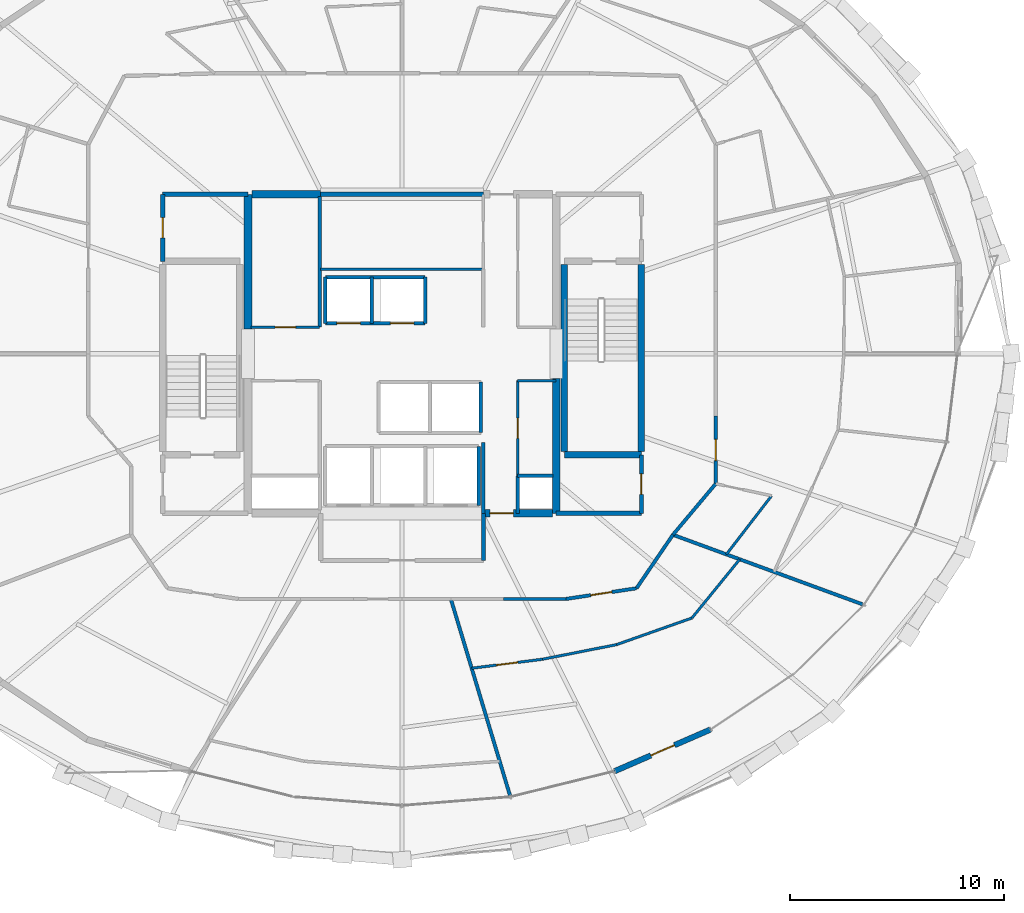
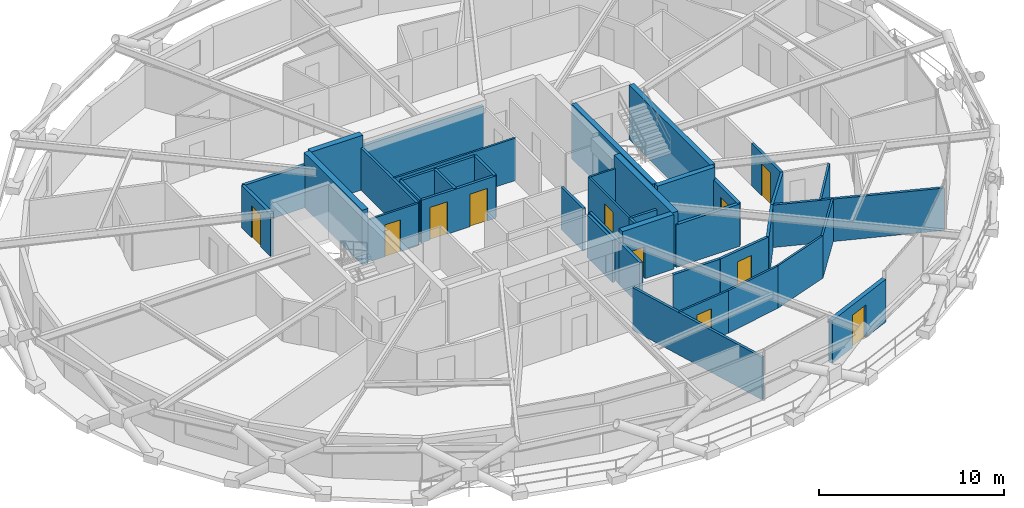
# One storey, part 15 of 21: 41 walls, 11 doors, 11 openings.
"""IFC4 building model written with IfcOpenShell, lengths in metres."""

import ifcopenshell
import ifcopenshell.guid

model = None  # the IFC model being written
_history = None  # IfcOwnerHistory: only IFC2X3 demands one
_inside = {}  # id of a spatial element -> (the spatial element, [elements in it])
_under = {}  # id of a project, library or spatial element -> (it, [spatial elements below it])
_declared = {}  # id of a project -> (the project, [libraries it declares])
_typed = {}  # id of a type object -> (the type object, [elements of that type])
_made_of = {}  # id of a material, layer set ... -> (it, [elements and type objects made of it])


def new_model(schema):
    """Start an empty IFC model of exactly this schema.

    Asked for "IFC4X3", IfcOpenShell would pick the latest addendum, in which some entities
    have other attributes; the version numbers below select the first issue.
    IFC2X3 requires an IfcOwnerHistory on every rooted entity: one is made here for all.
    """
    global model, _history
    if schema == "IFC4X3":
        model = ifcopenshell.file(schema_version=(4, 3, 0, 0))
    else:
        model = ifcopenshell.file(schema=schema)
    _inside.clear()
    _under.clear()
    _declared.clear()
    _typed.clear()
    _made_of.clear()
    _history = None
    if model.schema == "IFC2X3":
        org = make("IfcOrganization", Name="unknown")
        user = make(
            "IfcPersonAndOrganization",
            ThePerson=make("IfcPerson", FamilyName="unknown"),
            TheOrganization=org,
        )
        app = make(
            "IfcApplication",
            ApplicationDeveloper=org,
            Version="unknown",
            ApplicationFullName="unknown",
            ApplicationIdentifier="unknown",
        )
        _history = make(
            "IfcOwnerHistory",
            OwningUser=user,
            OwningApplication=app,
            ChangeAction="ADDED",
            CreationDate=0,
        )
    return model


def make(cls, **values):
    """One entity of the class cls with the attributes given. An attribute that is None is left unset."""
    return model.create_entity(
        cls, **{name: value for name, value in values.items() if value is not None}
    )


def rooted(cls, **values):
    """An entity with a GlobalId (a new one), such as an element, a storey or a relation."""
    return make(cls, GlobalId=ifcopenshell.guid.new(), OwnerHistory=_history, **values)


def si_unit(unit_type, name, prefix=None):
    """IfcSIUnit, for example si_unit("LENGTHUNIT", "METRE", prefix="MILLI")."""
    return make("IfcSIUnit", UnitType=unit_type, Prefix=prefix, Name=name)


def assignment(units):
    """IfcUnitAssignment: the units of a project."""
    return None if units is None else make("IfcUnitAssignment", Units=units)


def point(xyz):
    """IfcCartesianPoint."""
    return None if xyz is None else make("IfcCartesianPoint", Coordinates=xyz)


def direction(xyz):
    """IfcDirection."""
    return None if xyz is None else make("IfcDirection", DirectionRatios=xyz)


def frame(location, z_axis=None, x_axis=None):
    """IfcAxis2Placement3D, a coordinate frame: its origin and axes. An axis left out is left unset."""
    return make(
        "IfcAxis2Placement3D",
        Location=point(location),
        Axis=direction(z_axis),
        RefDirection=direction(x_axis),
    )


def frame_2d(location, x_axis=None):
    """IfcAxis2Placement2D, a coordinate frame in the plane: its origin and x axis."""
    return make(
        "IfcAxis2Placement2D", Location=point(location), RefDirection=direction(x_axis)
    )


def origin():
    """The frame at (0, 0, 0) with its axes left unset."""
    return frame((0.0, 0.0, 0.0))


def place(relative_to, where):
    """IfcLocalPlacement: puts the frame where relative to a parent placement (None: the world)."""
    return make(
        "IfcLocalPlacement", PlacementRelTo=relative_to, RelativePlacement=where
    )


def context(
    kind, dimensions, precision=None, world=None, true_north=None, identifier=None
):
    """IfcGeometricRepresentationContext, for example the 3D "Model" context."""
    return make(
        "IfcGeometricRepresentationContext",
        ContextIdentifier=identifier,
        ContextType=kind,
        CoordinateSpaceDimension=dimensions,
        Precision=precision,
        WorldCoordinateSystem=world,
        TrueNorth=true_north,
    )


def subcontext(parent, identifier, kind, view, scale=None):
    """IfcGeometricRepresentationSubContext, for example "Body" below "Model"."""
    return make(
        "IfcGeometricRepresentationSubContext",
        ContextIdentifier=identifier,
        ContextType=kind,
        ParentContext=parent,
        TargetScale=scale,
        TargetView=view,
    )


def project(units=None, contexts=None):
    """IfcProject with its units and contexts."""
    return rooted(
        "IfcProject",
        Name="project",
        RepresentationContexts=contexts,
        UnitsInContext=assignment(units),
    )


def spatial(cls, under=None, at=None, **own):
    """A site, building, storey or space (cls), placed at a placement, below another one or the project."""
    s = rooted(cls, ObjectPlacement=at, **own)
    if under is not None:
        _under.setdefault(under.id(), (under, []))[1].append(s)
    return s


def profile(cls, at=None, kind="AREA", **sizes):
    """A parametric profile (cls). Its sizes go by their IFC names, for example OverallWidth=200.0."""
    return make(cls, ProfileType=kind, Position=at, **sizes)


def rectangle(**sizes):
    """IfcRectangleProfileDef."""
    return profile("IfcRectangleProfileDef", **sizes)


def extrude(swept, where, along, depth):
    """IfcExtrudedAreaSolid: the profile swept, set in the frame where, extruded along a direction by depth."""
    return make(
        "IfcExtrudedAreaSolid",
        SweptArea=swept,
        Position=where,
        ExtrudedDirection=direction(along),
        Depth=depth,
    )


def shape(context_of_items, identifier, shape_type, items):
    """IfcShapeRepresentation: the items that make up one representation, for example the "Body"."""
    return make(
        "IfcShapeRepresentation",
        ContextOfItems=context_of_items,
        RepresentationIdentifier=identifier,
        RepresentationType=shape_type,
        Items=items,
    )


def material(Name=None, Category=None):
    """IfcMaterial."""
    return make("IfcMaterial", Name=Name, Category=Category)


def layer(
    of_material, thickness, ventilated=None, Name=None, Category=None, Priority=None
):
    """IfcMaterialLayer: one layer of a wall or slab, of a material (None: an air gap)."""
    return make(
        "IfcMaterialLayer",
        Material=of_material,
        LayerThickness=thickness,
        IsVentilated=ventilated,
        Name=Name,
        Category=Category,
        Priority=Priority,
    )


def layer_set(layers, Name=None):
    """IfcMaterialLayerSet."""
    return make("IfcMaterialLayerSet", MaterialLayers=layers, LayerSetName=Name)


def made_of(thing, what):
    """Note that an element or type object is made of a material, layer set ...; save() writes the relation."""
    if what is not None:
        _made_of.setdefault(what.id(), (what, []))[1].append(thing)
    return thing


def type_object(cls, material=None, **own):
    """A type object (cls), such as IfcWallType, which elements share."""
    return made_of(rooted(cls, **own), material)


def element(
    cls,
    number,
    at=None,
    inside=None,
    cuts=None,
    type_object=None,
    material=None,
    context=None,
    identifier="Body",
    shape_type=None,
    held_by="IfcProductDefinitionShape",
    body=None,
    shapes=None,
    **own,
):
    """One element of the class cls, such as IfcWall. Its Tag is "e" and its number.

    at: its placement. inside: the storey or other place that contains it. cuts: it is an
    opening in that element (IfcRelVoidsElement). A single representation is given by context,
    identifier, shape_type and body (its items); several are given by shapes. held_by: the class
    of the entity that holds the representations. save() writes the other relations.
    """
    e = rooted(cls, Tag="e%d" % number, ObjectPlacement=at, **own)
    if body is not None:
        shapes = [shape(context, identifier, shape_type, body)]
    if shapes is not None:
        e.Representation = make(held_by, Representations=shapes)
    if inside is not None:
        _inside.setdefault(inside.id(), (inside, []))[1].append(e)
    if cuts is not None:
        rooted(
            "IfcRelVoidsElement", RelatingBuildingElement=cuts, RelatedOpeningElement=e
        )
    if type_object is not None:
        _typed.setdefault(type_object.id(), (type_object, []))[1].append(e)
    return made_of(e, material)


def fill(opening, filler):
    """IfcRelFillsElement: the door or window that sits in an opening."""
    return rooted(
        "IfcRelFillsElement",
        RelatingOpeningElement=opening,
        RelatedBuildingElement=filler,
    )


def aggregate(whole, parts):
    """IfcRelAggregates: a whole, such as a stair, and the parts it consists of."""
    return rooted("IfcRelAggregates", RelatingObject=whole, RelatedObjects=parts)


def save(model, path):
    """Write the relations noted so far, then the file.

    IfcRelAggregates (storeys below a building ...), IfcRelContainedInSpatialStructure (elements
    in a storey), IfcRelDefinesByType, IfcRelAssociatesMaterial and IfcRelDeclares: one each for
    every whole, place, type object, material and project.
    """
    for whole, parts in _under.values():
        aggregate(whole, parts)
    for where, things in _inside.values():
        rooted(
            "IfcRelContainedInSpatialStructure",
            RelatedElements=things,
            RelatingStructure=where,
        )
    for kind, things in _typed.values():
        rooted("IfcRelDefinesByType", RelatedObjects=things, RelatingType=kind)
    for what, things in _made_of.values():
        rooted("IfcRelAssociatesMaterial", RelatedObjects=things, RelatingMaterial=what)
    for by, libraries in _declared.values():
        rooted("IfcRelDeclares", RelatingContext=by, RelatedDefinitions=libraries)
    model.write(path)


model = new_model("IFC4")

# Units and contexts
model_context = context("Model", 3, precision=1e-05, world=origin(), true_north=direction((0.0, 1.0)))
body_context = subcontext(model_context, "Body", "Model", "MODEL_VIEW")
ifc_project = project(units=[si_unit("LENGTHUNIT", "METRE"), si_unit("AREAUNIT", "SQUARE_METRE"), si_unit("VOLUMEUNIT", "CUBIC_METRE"), si_unit("PLANEANGLEUNIT", "RADIAN"), si_unit("MASSUNIT", "GRAM", prefix="KILO")], contexts=[model_context])

# Site, building, storey
site_placement = place(None, origin())
site = spatial("IfcSite", under=ifc_project, at=site_placement, CompositionType="ELEMENT")
building_placement = place(site_placement, origin())
building = spatial("IfcBuilding", under=site, at=building_placement, Name="Veldorina Hangang Commons", CompositionType="ELEMENT")
storey_placement = place(building_placement, frame((0.0, 0.0, 138.800048828125)))
storey = spatial("IfcBuildingStorey", under=building, at=storey_placement, Name="L35", CompositionType="ELEMENT", Elevation=138.800048828125)

# Walls
ifc_material_1 = material(Name="Concrete C60/75", Category="concrete")
ifc_layer_1 = layer(ifc_material_1, 0.360107421875)
ifc_layer_set_1 = layer_set([ifc_layer_1], Name="Concrete C60/75")
wall_type_1 = type_object("IfcWallType", Name="CW-RC360-C60", PredefinedType="SHEAR", material=ifc_layer_set_1)
for number, where, z_axis, x_axis, name in (
    (1, (24.800048828125, 25.14990234375, 0.0), (0.0, 0.0, 1.0), (0.0, 1.0, 0.0), "L35 W north core shear wall"),
    (2, (39.199951171875, 16.550048828125, 0.0), (0.0, 0.0, 1.0), (0.0, 1.0, 0.0), "L35 E south core shear wall"),
):
    element("IfcWall", number, at=place(storey_placement, frame(where, z_axis=z_axis, x_axis=x_axis)), inside=storey, type_object=wall_type_1, Name=name, PredefinedType="SHEAR", context=body_context, shape_type="SweptSolid", body=[
        extrude(rectangle(XDim=6.300048828125, YDim=0.360107421875, at=frame_2d((3.14990234375, 0.0))), origin(), (0.0, 0.0, 1.0), 3.599853515625),
    ])

# Wall, opening, door
wall_1_placement = place(storey_placement, frame((35.800048828125, 16.550048828125, 0.0), z_axis=(0.0, 0.0, 1.0), x_axis=(1.0, 0.0, 0.0)))
wall_1 = element("IfcWall", 3, at=wall_1_placement, inside=storey, type_object=wall_type_1, Name="L35 south-east core shear wall", PredefinedType="SHEAR", context=body_context, shape_type="SweptSolid", body=[
    extrude(rectangle(XDim=3.219970703125, YDim=0.360107421875, at=frame_2d((1.60986328125, 0.0))), origin(), (0.0, 0.0, 1.0), 3.599853515625),
])
opening_1_placement = place(wall_1_placement, frame((0.300048828125, 0.0, 0.0)))
opening_1 = element("IfcOpeningElement", 4, at=opening_1_placement, cuts=wall_1, Name="Opening D-08", PredefinedType="OPENING", context=body_context, shape_type="SweptSolid", body=[
    extrude(rectangle(XDim=1.10009765625, YDim=2.10009765625, at=frame_2d((0.550048828125, 1.050048828125))), frame((0.0, 0.18994140625, 0.0), z_axis=(0.0, -1.0, 0.0), x_axis=(1.0, 0.0, 0.0)), (0.0, 0.0, 1.0), 0.380126953125),
])
ifc_material_2 = material(Name="Steel Fire-Rated Smoke Seal", Category="steel")
door_type_1 = type_object("IfcDoorType", Name="DR-FIRE-1100", OperationType="SINGLE_SWING_RIGHT", PredefinedType="DOOR", material=ifc_material_2)
door_1_placement = place(opening_1_placement, origin())
door_1 = element("IfcDoor", 5, at=door_1_placement, inside=storey, type_object=door_type_1, Name="L35 central lift lobby south corridor door", OperationType="SINGLE_SWING_RIGHT", OverallHeight=2.10009765625, OverallWidth=1.10009765625, PredefinedType="DOOR", context=body_context, shape_type="SweptSolid", body=[
    extrude(rectangle(XDim=1.10009765625, YDim=2.10009765625, at=frame_2d((0.550048828125, 1.050048828125))), frame((0.0, 0.02490234375, 0.0), z_axis=(0.0, -1.0, 0.0), x_axis=(1.0, 0.0, 0.0)), (0.0, 0.0, 1.0), 0.050048828125),
])
fill(opening_1, door_1)

# Wall
wall_2_placement = place(storey_placement, frame((24.97998046875, 31.449951171875, 0.0), z_axis=(0.0, 0.0, 1.0), x_axis=(1.0, 0.0, 0.0)))
element("IfcWall", 6, at=wall_2_placement, inside=storey, type_object=wall_type_1, Name="L35 north-west core shear wall", PredefinedType="SHEAR", context=body_context, shape_type="SweptSolid", body=[
    extrude(rectangle(XDim=3.219970703125, YDim=0.360107421875, at=frame_2d((1.60986328125, 0.0))), origin(), (0.0, 0.0, 1.0), 3.599853515625),
])

# Wall, opening, door
ifc_material_3 = material(Name="Stone Roman Travertine", Category="masonry")
ifc_layer_2 = layer(ifc_material_3, 0.260009765625)
ifc_layer_set_2 = layer_set([ifc_layer_2], Name="Stone Roman Travertine")
wall_type_2 = type_object("IfcWallType", Name="EW-LOGGIA-260", PredefinedType="STANDARD", material=ifc_layer_set_2)
wall_3_placement = place(storey_placement, frame((41.92626953125, 4.50537109375, 0.0), z_axis=(0.0, 0.0, 1.0), x_axis=(0.917045447223, 0.398782707408, 0.0)))
wall_3 = element("IfcWall", 7, at=wall_3_placement, inside=storey, type_object=wall_type_2, Name="L35 sky-garden loggia portal wall 26", PredefinedType="STANDARD", context=body_context, shape_type="SweptSolid", body=[
    extrude(rectangle(XDim=4.8896484375, YDim=0.260009765625, at=frame_2d((2.44482421875, 0.0))), origin(), (0.0, 0.0, 1.0), 2.820068359375),
])
opening_2_placement = place(wall_3_placement, frame((1.844970703125, 0.0, 0.0)))
opening_2 = element("IfcOpeningElement", 8, at=opening_2_placement, cuts=wall_3, Name="Opening BD-1200", PredefinedType="OPENING", context=body_context, shape_type="SweptSolid", body=[
    extrude(rectangle(XDim=1.199951171875, YDim=2.14990234375, at=frame_2d((0.60009765625, 1.074951171875))), frame((0.0, 0.14013671875, 0.0), z_axis=(0.0, -1.0, 0.0), x_axis=(1.0, 0.0, 0.0)), (0.0, 0.0, 1.0), 0.280029296875),
])
ifc_material_4 = material(Name="Glass Thermal Aluminium Frame", Category="aluminium")
door_type_2 = type_object("IfcDoorType", Name="DR-EXT-LOG1200", OperationType="SINGLE_SWING_LEFT", PredefinedType="DOOR", material=ifc_material_4)
door_2_placement = place(opening_2_placement, origin())
door_2 = element("IfcDoor", 9, at=door_2_placement, inside=storey, type_object=door_type_2, Name="L35 loggia glazed exterior door 26", OperationType="SINGLE_SWING_LEFT", OverallHeight=2.14990234375, OverallWidth=1.199951171875, PredefinedType="DOOR", context=body_context, shape_type="SweptSolid", body=[
    extrude(rectangle(XDim=1.199951171875, YDim=2.14990234375, at=frame_2d((0.60009765625, 1.074951171875))), frame((0.0, 0.02490234375, 0.0), z_axis=(0.0, -1.0, 0.0), x_axis=(1.0, 0.0, 0.0)), (0.0, 0.0, 1.0), 0.050048828125),
])
fill(opening_2, door_2)

# Walls
ifc_material_5 = material(Name="Concrete C50/60", Category="concrete")
ifc_layer_3 = layer(ifc_material_5, 0.300048828125)
ifc_layer_set_3 = layer_set([ifc_layer_3], Name="Concrete C50/60")
wall_type_3 = type_object("IfcWallType", Name="SW-STAIR-300", PredefinedType="SHEAR", material=ifc_layer_set_3)
for number, where, z_axis, x_axis, name in (
    (10, (43.179931640625, 19.429931640625, 0.0), (0.0, 0.0, 1.0), (0.0, 1.0, 0.0), "L35 ST2 outer stair shear wall"),
    (11, (39.580078125, 19.429931640625, 0.0), (0.0, 0.0, 1.0), (0.0, 1.0, 0.0), "L35 ST2 inner stair shear wall"),
):
    element("IfcWall", number, at=place(storey_placement, frame(where, z_axis=z_axis, x_axis=x_axis)), inside=storey, type_object=wall_type_3, Name=name, PredefinedType="SHEAR", context=body_context, shape_type="SweptSolid", body=[
        extrude(rectangle(XDim=8.739990234375, YDim=0.300048828125, at=frame_2d((4.3701171875, 0.0))), origin(), (0.0, 0.0, 1.0), 3.599853515625),
    ])
wall_4_placement = place(storey_placement, frame((39.580078125, 19.280029296875, 0.0), z_axis=(0.0, 0.0, 1.0), x_axis=(1.0, 0.0, 0.0)))
element("IfcWall", 12, at=wall_4_placement, inside=storey, type_object=wall_type_3, Name="L35 ST2 south stair shear wall", PredefinedType="SHEAR", context=body_context, shape_type="SweptSolid", body=[
    extrude(rectangle(XDim=3.599853515625, YDim=0.300048828125, at=frame_2d((1.7998046875, 0.0))), origin(), (0.0, 0.0, 1.0), 3.599853515625),
])
ifc_material_6 = material(Name="Gypsum Fire-Rated Twin Stud Wall", Category="gypsum")
ifc_layer_4 = layer(ifc_material_6, 0.159912109375)
ifc_layer_set_4 = layer_set([ifc_layer_4], Name="Gypsum Fire-Rated Twin Stud Wall")
wall_type_4 = type_object("IfcWallType", Name="WL-FIRE-160", PredefinedType="SOLIDWALL", material=ifc_layer_set_4)
wall_5_placement = place(storey_placement, frame((35.800048828125, 16.550048828125, 0.0), z_axis=(0.0, 0.0, 1.0), x_axis=(0.0, 1.0, 0.0)))
element("IfcWall", 13, at=wall_5_placement, inside=storey, type_object=wall_type_4, Name="L35 Lift passage SW wall 009", PredefinedType="SOLIDWALL", context=body_context, shape_type="SweptSolid", body=[
    extrude(rectangle(XDim=3.300048828125, YDim=0.159912109375, at=frame_2d((1.64990234375, 0.0))), origin(), (0.0, 0.0, 1.0), 2.800048828125),
])
wall_6_placement = place(storey_placement, frame((37.39990234375, 16.550048828125, 0.0), z_axis=(0.0, 0.0, 1.0), x_axis=(0.0, 1.0, 0.0)))
element("IfcWall", 14, at=wall_6_placement, inside=storey, type_object=wall_type_4, Name="L35 Lift passage SE stub 010", PredefinedType="SOLIDWALL", context=body_context, shape_type="SweptSolid", body=[
    extrude(rectangle(XDim=1.75, YDim=0.159912109375, at=frame_2d((0.875, 0.0))), origin(), (0.0, 0.0, 1.0), 2.800048828125),
])

# Wall, openings, doors
wall_7_placement = place(storey_placement, frame((28.419921875, 25.419921875, 0.0), z_axis=(0.0, 0.0, 1.0), x_axis=(1.0, 0.0, 0.0)))
wall_7 = element("IfcWall", 15, at=wall_7_placement, inside=storey, type_object=wall_type_4, Name="L35 Mid-high front shaft wall 015", PredefinedType="SOLIDWALL", context=body_context, shape_type="SweptSolid", body=[
    extrude(rectangle(XDim=4.66015625, YDim=0.159912109375, at=frame_2d((2.330078125, 0.0))), origin(), (0.0, 0.0, 1.0), 2.800048828125),
])
opening_3_placement = place(wall_7_placement, frame((0.530029296875, 0.0, 0.0)))
opening_3 = element("IfcOpeningElement", 16, at=opening_3_placement, cuts=wall_7, Name="Opening LD-01", PredefinedType="OPENING", context=body_context, shape_type="SweptSolid", body=[
    extrude(rectangle(XDim=1.10009765625, YDim=2.14990234375, at=frame_2d((0.550048828125, 1.074951171875))), frame((0.0, 0.08984375, 0.0), z_axis=(0.0, -1.0, 0.0), x_axis=(1.0, 0.0, 0.0)), (0.0, 0.0, 1.0), 0.179931640625),
])
opening_4_placement = place(wall_7_placement, frame((3.030029296875, 0.0, 0.0)))
opening_4 = element("IfcOpeningElement", 17, at=opening_4_placement, cuts=wall_7, Name="Opening LD-01", PredefinedType="OPENING", context=body_context, shape_type="SweptSolid", body=[
    extrude(rectangle(XDim=1.10009765625, YDim=2.14990234375, at=frame_2d((0.550048828125, 1.074951171875))), frame((0.0, 0.08984375, 0.0), z_axis=(0.0, -1.0, 0.0), x_axis=(1.0, 0.0, 0.0)), (0.0, 0.0, 1.0), 0.179931640625),
])
ifc_material_7 = material(Name="Stainless Steel Brushed Lift Door", Category="steel")
door_type_3 = type_object("IfcDoorType", Name="DR-LIFT-1100", OperationType="SLIDING_TO_LEFT", PredefinedType="DOOR", material=ifc_material_7)
door_3_placement = place(opening_3_placement, origin())
door_3 = element("IfcDoor", 18, at=door_3_placement, inside=storey, type_object=door_type_3, Name="L35 Lift PL-M1 landing door 006", OperationType="SLIDING_TO_RIGHT", OverallHeight=2.14990234375, OverallWidth=1.10009765625, PredefinedType="DOOR", context=body_context, shape_type="SweptSolid", body=[
    extrude(rectangle(XDim=1.10009765625, YDim=2.14990234375, at=frame_2d((0.550048828125, 1.074951171875))), frame((0.0, 0.02490234375, 0.0), z_axis=(0.0, -1.0, 0.0), x_axis=(1.0, 0.0, 0.0)), (0.0, 0.0, 1.0), 0.050048828125),
])
fill(opening_3, door_3)
door_4_placement = place(opening_4_placement, origin())
door_4 = element("IfcDoor", 19, at=door_4_placement, inside=storey, type_object=door_type_3, Name="L35 Lift PL-M2 landing door 007", OperationType="SLIDING_TO_RIGHT", OverallHeight=2.14990234375, OverallWidth=1.10009765625, PredefinedType="DOOR", context=body_context, shape_type="SweptSolid", body=[
    extrude(rectangle(XDim=1.10009765625, YDim=2.14990234375, at=frame_2d((0.550048828125, 1.074951171875))), frame((0.0, 0.02490234375, 0.0), z_axis=(0.0, -1.0, 0.0), x_axis=(1.0, 0.0, 0.0)), (0.0, 0.0, 1.0), 0.050048828125),
])
fill(opening_4, door_4)

# Walls
wall_8_placement = place(storey_placement, frame((28.419921875, 27.580078125, 0.0), z_axis=(0.0, 0.0, 1.0), x_axis=(1.0, 0.0, 0.0)))
element("IfcWall", 20, at=wall_8_placement, inside=storey, type_object=wall_type_4, Name="L35 Mid-high rear shaft wall 016", PredefinedType="SOLIDWALL", context=body_context, shape_type="SweptSolid", body=[
    extrude(rectangle(XDim=4.66015625, YDim=0.159912109375, at=frame_2d((2.330078125, 0.0))), origin(), (0.0, 0.0, 1.0), 2.800048828125),
])
for number, where, z_axis, x_axis, name in (
    (21, (28.419921875, 25.419921875, 0.0), (0.0, 0.0, 1.0), (0.0, 1.0, 0.0), "L35 PL-M1 west shaft wall 017"),
    (22, (30.580078125, 25.419921875, 0.0), (0.0, 0.0, 1.0), (0.0, 1.0, 0.0), "L35 PL-M1 east shaft wall 018"),
    (23, (33.080078125, 25.419921875, 0.0), (0.0, 0.0, 1.0), (0.0, 1.0, 0.0), "L35 PL-M2 east shaft wall 019"),
):
    element("IfcWall", number, at=place(storey_placement, frame(where, z_axis=z_axis, x_axis=x_axis)), inside=storey, type_object=wall_type_4, Name=name, PredefinedType="SOLIDWALL", context=body_context, shape_type="SweptSolid", body=[
        extrude(rectangle(XDim=2.16015625, YDim=0.159912109375, at=frame_2d((1.080078125, 0.0))), origin(), (0.0, 0.0, 1.0), 2.800048828125),
    ])
wall_9_placement = place(storey_placement, frame((35.679931640625, 20.320068359375, 0.0), z_axis=(0.0, 0.0, 1.0), x_axis=(0.0, 1.0, 0.0)))
element("IfcWall", 24, at=wall_9_placement, inside=storey, type_object=wall_type_4, Name="L35 SL-2 east shaft wall 024", PredefinedType="SOLIDWALL", context=body_context, shape_type="SweptSolid", body=[
    extrude(rectangle(XDim=2.35986328125, YDim=0.159912109375, at=frame_2d((1.179931640625, 0.0))), origin(), (0.0, 0.0, 1.0), 2.800048828125),
])
wall_10_placement = place(storey_placement, frame((35.580078125, 16.919921875, 0.0), z_axis=(0.0, 0.0, 1.0), x_axis=(0.0, 1.0, 0.0)))
element("IfcWall", 25, at=wall_10_placement, inside=storey, type_object=wall_type_4, Name="L35 EVL-1 east shaft wall 030", PredefinedType="SOLIDWALL", context=body_context, shape_type="SweptSolid", body=[
    extrude(rectangle(XDim=2.760009765625, YDim=0.159912109375, at=frame_2d((1.3798828125, 0.0))), origin(), (0.0, 0.0, 1.0), 2.800048828125),
])
wall_11_placement = place(storey_placement, frame((37.39990234375, 18.300048828125, 0.0), z_axis=(0.0, 0.0, 1.0), x_axis=(1.0, 0.0, 0.0)))
element("IfcWall", 26, at=wall_11_placement, inside=storey, type_object=wall_type_4, Name="L35 Plumbing riser wall 036", PredefinedType="SOLIDWALL", context=body_context, shape_type="SweptSolid", body=[
    extrude(rectangle(XDim=1.650146484375, YDim=0.159912109375, at=frame_2d((0.8251953125, 0.0))), origin(), (0.0, 0.0, 1.0), 2.800048828125),
])
wall_12_placement = place(storey_placement, frame((28.14990234375, 25.25, 0.0), z_axis=(0.0, 0.0, 1.0), x_axis=(0.0, 1.0, 0.0)))
element("IfcWall", 27, at=wall_12_placement, inside=storey, type_object=wall_type_4, Name="L35 NW core inner wall 037", PredefinedType="SOLIDWALL", context=body_context, shape_type="SweptSolid", body=[
    extrude(rectangle(XDim=6.10009765625, YDim=0.159912109375, at=frame_2d((3.050048828125, 0.0))), origin(), (0.0, 0.0, 1.0), 2.800048828125),
])
wall_13_placement = place(storey_placement, frame((36.74267578125, 12.550048828125, 0.0), z_axis=(0.0, 0.0, 1.0), x_axis=(1.0, 0.0, 0.0)))
element("IfcWall", 28, at=wall_13_placement, inside=storey, type_object=wall_type_4, Name="L35 U-corridor outer wall 26 070", PredefinedType="SOLIDWALL", context=body_context, shape_type="SweptSolid", body=[
    extrude(rectangle(XDim=2.907958984375, YDim=0.159912109375, at=frame_2d((1.4541015625, 0.0))), origin(), (0.0, 0.0, 1.0), 2.800048828125),
])

# Wall, opening, door
wall_14_placement = place(storey_placement, frame((39.650634765625, 12.550048828125, 0.0), z_axis=(0.0, 0.0, 1.0), x_axis=(0.988710906508, 0.149835721217, 0.0)))
wall_14 = element("IfcWall", 29, at=wall_14_placement, inside=storey, type_object=wall_type_4, Name="L35 U-corridor outer wall 27 071", PredefinedType="SOLIDWALL", context=body_context, shape_type="SweptSolid", body=[
    extrude(rectangle(XDim=3.3369140625, YDim=0.159912109375, at=frame_2d((1.66845703125, 0.0))), origin(), (0.0, 0.0, 1.0), 2.800048828125),
])
opening_5_placement = place(wall_14_placement, frame((1.16845703125, 0.0, 0.0)))
opening_5 = element("IfcOpeningElement", 30, at=opening_5_placement, cuts=wall_14, Name="Opening D-05", PredefinedType="OPENING", context=body_context, shape_type="SweptSolid", body=[
    extrude(rectangle(XDim=1.0, YDim=2.10009765625, at=frame_2d((0.5, 1.050048828125))), frame((0.0, 0.08984375, 0.0), z_axis=(0.0, -1.0, 0.0), x_axis=(1.0, 0.0, 0.0)), (0.0, 0.0, 1.0), 0.179931640625),
])
ifc_material_8 = material(Name="Timber Solid Core Acoustic", Category="wood")
door_type_4 = type_object("IfcDoorType", Name="DR-INT-1000", OperationType="SINGLE_SWING_RIGHT", PredefinedType="DOOR", material=ifc_material_8)
door_5_placement = place(opening_5_placement, origin())
door_5 = element("IfcDoor", 31, at=door_5_placement, inside=storey, type_object=door_type_4, Name="L35 Commons alcove door 016", OperationType="SINGLE_SWING_RIGHT", OverallHeight=2.10009765625, OverallWidth=1.0, PredefinedType="DOOR", context=body_context, shape_type="SweptSolid", body=[
    extrude(rectangle(XDim=1.0, YDim=2.10009765625, at=frame_2d((0.5, 1.050048828125))), frame((0.0, 0.02490234375, 0.0), z_axis=(0.0, -1.0, 0.0), x_axis=(1.0, 0.0, 0.0)), (0.0, 0.0, 1.0), 0.050048828125),
])
fill(opening_5, door_5)

# Walls
wall_15_placement = place(storey_placement, frame((42.949951171875, 13.050048828125, 0.0), z_axis=(0.0, 0.0, 1.0), x_axis=(0.562674669208, 0.826678423955, 0.0)))
element("IfcWall", 32, at=wall_15_placement, inside=storey, type_object=wall_type_4, Name="L35 U-corridor outer wall 28 072", PredefinedType="SOLIDWALL", context=body_context, shape_type="SweptSolid", body=[
    extrude(rectangle(XDim=3.021240234375, YDim=0.159912109375, at=frame_2d((1.5107421875, 0.0))), origin(), (0.0, 0.0, 1.0), 2.800048828125),
])
wall_16_placement = place(storey_placement, frame((44.64990234375, 15.547607421875, 0.0), z_axis=(0.0, 0.0, 1.0), x_axis=(0.642665742791, 0.76614668507, 0.0)))
element("IfcWall", 33, at=wall_16_placement, inside=storey, type_object=wall_type_4, Name="L35 U-corridor outer wall 29 073", PredefinedType="SOLIDWALL", context=body_context, shape_type="SweptSolid", body=[
    extrude(rectangle(XDim=3.112060546875, YDim=0.159912109375, at=frame_2d((1.55615234375, 0.0))), origin(), (0.0, 0.0, 1.0), 2.800048828125),
])

# Wall, opening, door
wall_17_placement = place(storey_placement, frame((46.64990234375, 17.931884765625, 0.0), z_axis=(0.0, 0.0, 1.0), x_axis=(0.0, 1.0, 0.0)))
wall_17 = element("IfcWall", 34, at=wall_17_placement, inside=storey, type_object=wall_type_4, Name="L35 U-corridor outer wall 30 074", PredefinedType="SOLIDWALL", context=body_context, shape_type="SweptSolid", body=[
    extrude(rectangle(XDim=3.154052734375, YDim=0.159912109375, at=frame_2d((1.5771484375, 0.0))), origin(), (0.0, 0.0, 1.0), 2.800048828125),
])
opening_6_placement = place(wall_17_placement, frame((1.0771484375, 0.0, 0.0)))
opening_6 = element("IfcOpeningElement", 35, at=opening_6_placement, cuts=wall_17, Name="Opening D-06", PredefinedType="OPENING", context=body_context, shape_type="SweptSolid", body=[
    extrude(rectangle(XDim=1.0, YDim=2.10009765625, at=frame_2d((0.5, 1.050048828125))), frame((0.0, 0.08984375, 0.0), z_axis=(0.0, -1.0, 0.0), x_axis=(1.0, 0.0, 0.0)), (0.0, 0.0, 1.0), 0.179931640625),
])
ifc_material_9 = material(Name="Timber Fire-Rated Entrance Core", Category="wood")
door_type_5 = type_object("IfcDoorType", Name="DR-UNIT-1000", OperationType="SINGLE_SWING_LEFT", PredefinedType="DOOR", material=ifc_material_9)
door_6_placement = place(opening_6_placement, origin())
door_6 = element("IfcDoor", 36, at=door_6_placement, inside=storey, type_object=door_type_5, Name="L35 Cluster 2 entrance door 019", OperationType="SINGLE_SWING_LEFT", OverallHeight=2.10009765625, OverallWidth=1.0, PredefinedType="DOOR", context=body_context, shape_type="SweptSolid", body=[
    extrude(rectangle(XDim=1.0, YDim=2.10009765625, at=frame_2d((0.5, 1.050048828125))), frame((0.0, 0.02490234375, 0.0), z_axis=(0.0, -1.0, 0.0), x_axis=(1.0, 0.0, 0.0)), (0.0, 0.0, 1.0), 0.050048828125),
])
fill(opening_6, door_6)

# Walls
wall_18_placement = place(storey_placement, frame((34.277587890625, 12.550048828125, 0.0), z_axis=(0.0, 0.0, 1.0), x_axis=(0.288212907738, -0.957566352695, 0.0)))
element("IfcWall", 37, at=wall_18_placement, inside=storey, type_object=wall_type_4, Name="L35 Unit party wall 25 076", PredefinedType="SOLIDWALL", context=body_context, shape_type="SweptSolid", body=[
    extrude(rectangle(XDim=9.60498046875, YDim=0.159912109375, at=frame_2d((4.802490234375, 0.0))), origin(), (0.0, 0.0, 1.0), 2.800048828125),
])
wall_19_placement = place(storey_placement, frame((44.64990234375, 15.547607421875, 0.0), z_axis=(0.0, 0.0, 1.0), x_axis=(0.938840675632, -0.344351834291, 0.0)))
element("IfcWall", 38, at=wall_19_placement, inside=storey, type_object=wall_type_4, Name="L35 Unit party wall 29 081", PredefinedType="SOLIDWALL", context=body_context, shape_type="SweptSolid", body=[
    extrude(rectangle(XDim=9.447998046875, YDim=0.159912109375, at=frame_2d((4.72412109375, 0.0))), origin(), (0.0, 0.0, 1.0), 2.800048828125),
])

# Wall, opening, door
ifc_material_10 = material(Name="Concrete Blockwork Fire Wall C30/37", Category="masonry")
ifc_layer_5 = layer(ifc_material_10, 0.199951171875)
ifc_layer_set_5 = layer_set([ifc_layer_5], Name="Concrete Blockwork Fire Wall C30/37")
wall_type_5 = type_object("IfcWallType", Name="WL-FIRE-200", PredefinedType="SOLIDWALL", material=ifc_layer_set_5)
wall_20_placement = place(storey_placement, frame((20.820068359375, 28.320068359375, 0.0), z_axis=(0.0, 0.0, 1.0), x_axis=(0.0, 1.0, 0.0)))
wall_20 = element("IfcWall", 39, at=wall_20_placement, inside=storey, type_object=wall_type_5, Name="L35 NW core room outer wall 005", PredefinedType="SOLIDWALL", context=body_context, shape_type="SweptSolid", body=[
    extrude(rectangle(XDim=3.1298828125, YDim=0.199951171875, at=frame_2d((1.56494140625, 0.0))), origin(), (0.0, 0.0, 1.0), 2.800048828125),
])
opening_7_placement = place(wall_20_placement, frame((1.090087890625, 0.0, 0.0)))
opening_7 = element("IfcOpeningElement", 40, at=opening_7_placement, cuts=wall_20, Name="Opening D-04", PredefinedType="OPENING", context=body_context, shape_type="SweptSolid", body=[
    extrude(rectangle(XDim=0.949951171875, YDim=2.10009765625, at=frame_2d((0.47509765625, 1.050048828125))), frame((0.0, 0.10986328125, 0.0), z_axis=(0.0, -1.0, 0.0), x_axis=(1.0, 0.0, 0.0)), (0.0, 0.0, 1.0), 0.219970703125),
])
ifc_material_11 = material(Name="Timber Accessible Flush Leaf", Category="wood")
door_type_6 = type_object("IfcDoorType", Name="DR-ACC-950", OperationType="SINGLE_SWING_LEFT", PredefinedType="DOOR", material=ifc_material_11)
door_7_placement = place(opening_7_placement, origin())
door_7 = element("IfcDoor", 41, at=door_7_placement, inside=storey, type_object=door_type_6, Name="L35 NW core WC door 003", OperationType="SINGLE_SWING_LEFT", OverallHeight=2.10009765625, OverallWidth=0.949951171875, PredefinedType="DOOR", context=body_context, shape_type="SweptSolid", body=[
    extrude(rectangle(XDim=0.949951171875, YDim=2.10009765625, at=frame_2d((0.47509765625, 1.050048828125))), frame((0.0, 0.02490234375, 0.0), z_axis=(0.0, -1.0, 0.0), x_axis=(1.0, 0.0, 0.0)), (0.0, 0.0, 1.0), 0.050048828125),
])
fill(opening_7, door_7)

# Wall
wall_21_placement = place(storey_placement, frame((20.820068359375, 31.449951171875, 0.0), z_axis=(0.0, 0.0, 1.0), x_axis=(1.0, 0.0, 0.0)))
element("IfcWall", 42, at=wall_21_placement, inside=storey, type_object=wall_type_5, Name="L35 NW core room north wall 006", PredefinedType="SOLIDWALL", context=body_context, shape_type="SweptSolid", body=[
    extrude(rectangle(XDim=3.97998046875, YDim=0.199951171875, at=frame_2d((1.989990234375, 0.0))), origin(), (0.0, 0.0, 1.0), 2.800048828125),
])

# Wall, opening, door
wall_22_placement = place(storey_placement, frame((43.179931640625, 16.550048828125, 0.0), z_axis=(0.0, 0.0, 1.0), x_axis=(0.0, 1.0, 0.0)))
wall_22 = element("IfcWall", 43, at=wall_22_placement, inside=storey, type_object=wall_type_5, Name="L35 SE core room outer wall 007", PredefinedType="SOLIDWALL", context=body_context, shape_type="SweptSolid", body=[
    extrude(rectangle(XDim=2.72998046875, YDim=0.199951171875, at=frame_2d((1.364990234375, 0.0))), origin(), (0.0, 0.0, 1.0), 2.800048828125),
])
opening_8_placement = place(wall_22_placement, frame((0.889892578125, 0.0, 0.0)))
opening_8 = element("IfcOpeningElement", 44, at=opening_8_placement, cuts=wall_22, Name="Opening D-02", PredefinedType="OPENING", context=body_context, shape_type="SweptSolid", body=[
    extrude(rectangle(XDim=0.949951171875, YDim=2.10009765625, at=frame_2d((0.47509765625, 1.050048828125))), frame((0.0, 0.10986328125, 0.0), z_axis=(0.0, -1.0, 0.0), x_axis=(1.0, 0.0, 0.0)), (0.0, 0.0, 1.0), 0.219970703125),
])
door_type_7 = type_object("IfcDoorType", Name="DR-INT-950", OperationType="SINGLE_SWING_LEFT", PredefinedType="DOOR", material=ifc_material_8)
door_8_placement = place(opening_8_placement, origin())
door_8 = element("IfcDoor", 45, at=door_8_placement, inside=storey, type_object=door_type_7, Name="L35 SE core WC door 004", OperationType="SINGLE_SWING_RIGHT", OverallHeight=2.10009765625, OverallWidth=0.949951171875, PredefinedType="DOOR", context=body_context, shape_type="SweptSolid", body=[
    extrude(rectangle(XDim=0.949951171875, YDim=2.10009765625, at=frame_2d((0.47509765625, 1.050048828125))), frame((0.0, 0.02490234375, 0.0), z_axis=(0.0, -1.0, 0.0), x_axis=(1.0, 0.0, 0.0)), (0.0, 0.0, 1.0), 0.050048828125),
])
fill(opening_8, door_8)

# Walls
wall_23_placement = place(storey_placement, frame((39.199951171875, 16.550048828125, 0.0), z_axis=(0.0, 0.0, 1.0), x_axis=(1.0, 0.0, 0.0)))
element("IfcWall", 46, at=wall_23_placement, inside=storey, type_object=wall_type_5, Name="L35 SE core room south wall 008", PredefinedType="SOLIDWALL", context=body_context, shape_type="SweptSolid", body=[
    extrude(rectangle(XDim=3.97998046875, YDim=0.199951171875, at=frame_2d((1.989990234375, 0.0))), origin(), (0.0, 0.0, 1.0), 2.800048828125),
])
wall_24_placement = place(storey_placement, frame((35.800048828125, 14.35009765625, 0.0), z_axis=(0.0, 0.0, 1.0), x_axis=(0.0, 1.0, 0.0)))
element("IfcWall", 47, at=wall_24_placement, inside=storey, type_object=wall_type_5, Name="L35 FF lobby east wall 013", PredefinedType="SOLIDWALL", context=body_context, shape_type="SweptSolid", body=[
    extrude(rectangle(XDim=2.199951171875, YDim=0.199951171875, at=frame_2d((1.10009765625, 0.0))), origin(), (0.0, 0.0, 1.0), 2.800048828125),
])
wall_25_placement = place(storey_placement, frame((28.199951171875, 31.449951171875, 0.0), z_axis=(0.0, 0.0, 1.0), x_axis=(1.0, 0.0, 0.0)))
element("IfcWall", 48, at=wall_25_placement, inside=storey, type_object=wall_type_5, Name="L35 Merged north core wall 031", PredefinedType="SOLIDWALL", context=body_context, shape_type="SweptSolid", body=[
    extrude(rectangle(XDim=7.60009765625, YDim=0.199951171875, at=frame_2d((3.800048828125, 0.0))), origin(), (0.0, 0.0, 1.0), 2.800048828125),
])
ifc_material_12 = material(Name="Gypsum Acoustic Stud Partition", Category="gypsum")
ifc_layer_6 = layer(ifc_material_12, 0.1201171875)
ifc_layer_set_6 = layer_set([ifc_layer_6], Name="Gypsum Acoustic Stud Partition")
wall_type_6 = type_object("IfcWallType", Name="WL-PART-120", PredefinedType="PARTITIONING", material=ifc_layer_set_6)
wall_26_placement = place(storey_placement, frame((28.199951171875, 27.949951171875, 0.0), z_axis=(0.0, 0.0, 1.0), x_axis=(1.0, 0.0, 0.0)))
element("IfcWall", 49, at=wall_26_placement, inside=storey, type_object=wall_type_6, Name="L35 Merged north south wall 032", PredefinedType="PARTITIONING", context=body_context, shape_type="SweptSolid", body=[
    extrude(rectangle(XDim=7.60009765625, YDim=0.1201171875, at=frame_2d((3.800048828125, 0.0))), origin(), (0.0, 0.0, 1.0), 2.800048828125),
])

# Wall, opening, door
wall_27_placement = place(storey_placement, frame((24.949951171875, 25.25, 0.0), z_axis=(0.0, 0.0, 1.0), x_axis=(1.0, 0.0, 0.0)))
wall_27 = element("IfcWall", 50, at=wall_27_placement, inside=storey, type_object=wall_type_6, Name="L35 NW service south wall 038", PredefinedType="PARTITIONING", context=body_context, shape_type="SweptSolid", body=[
    extrude(rectangle(XDim=3.199951171875, YDim=0.1201171875, at=frame_2d((1.60009765625, 0.0))), origin(), (0.0, 0.0, 1.0), 2.800048828125),
])
opening_9_placement = place(wall_27_placement, frame((1.125, 0.0, 0.0)))
opening_9 = element("IfcOpeningElement", 51, at=opening_9_placement, cuts=wall_27, Name="Opening D-02", PredefinedType="OPENING", context=body_context, shape_type="SweptSolid", body=[
    extrude(rectangle(XDim=0.949951171875, YDim=2.10009765625, at=frame_2d((0.47509765625, 1.050048828125))), frame((0.0, 0.070068359375, 0.0), z_axis=(0.0, -1.0, 0.0), x_axis=(1.0, 0.0, 0.0)), (0.0, 0.0, 1.0), 0.14013671875),
])
door_9_placement = place(opening_9_placement, origin())
door_9 = element("IfcDoor", 52, at=door_9_placement, inside=storey, type_object=door_type_7, Name="L35 Housekeeping store door 012", OperationType="SINGLE_SWING_RIGHT", OverallHeight=2.10009765625, OverallWidth=0.949951171875, PredefinedType="DOOR", context=body_context, shape_type="SweptSolid", body=[
    extrude(rectangle(XDim=0.949951171875, YDim=2.10009765625, at=frame_2d((0.47509765625, 1.050048828125))), frame((0.0, 0.02490234375, 0.0), z_axis=(0.0, -1.0, 0.0), x_axis=(1.0, 0.0, 0.0)), (0.0, 0.0, 1.0), 0.050048828125),
])
fill(opening_9, door_9)

wall_28_placement = place(storey_placement, frame((37.39990234375, 18.300048828125, 0.0), z_axis=(0.0, 0.0, 1.0), x_axis=(0.0, 1.0, 0.0)))
wall_28 = element("IfcWall", 53, at=wall_28_placement, inside=storey, type_object=wall_type_6, Name="L35 SE strip lobby wall 042", PredefinedType="PARTITIONING", context=body_context, shape_type="SweptSolid", body=[
    extrude(rectangle(XDim=4.449951171875, YDim=0.1201171875, at=frame_2d((2.22509765625, 0.0))), origin(), (0.0, 0.0, 1.0), 2.800048828125),
])
opening_10_placement = place(wall_28_placement, frame((1.75, 0.0, 0.0)))
opening_10 = element("IfcOpeningElement", 54, at=opening_10_placement, cuts=wall_28, Name="Opening D-02", PredefinedType="OPENING", context=body_context, shape_type="SweptSolid", body=[
    extrude(rectangle(XDim=0.949951171875, YDim=2.10009765625, at=frame_2d((0.47509765625, 1.050048828125))), frame((0.0, 0.070068359375, 0.0), z_axis=(0.0, -1.0, 0.0), x_axis=(1.0, 0.0, 0.0)), (0.0, 0.0, 1.0), 0.14013671875),
])
door_10_placement = place(opening_10_placement, origin())
door_10 = element("IfcDoor", 55, at=door_10_placement, inside=storey, type_object=door_type_7, Name="L35 BMS closet door 015", OperationType="SINGLE_SWING_LEFT", OverallHeight=2.10009765625, OverallWidth=0.949951171875, PredefinedType="DOOR", context=body_context, shape_type="SweptSolid", body=[
    extrude(rectangle(XDim=0.949951171875, YDim=2.10009765625, at=frame_2d((0.47509765625, 1.050048828125))), frame((0.0, 0.02490234375, 0.0), z_axis=(0.0, -1.0, 0.0), x_axis=(1.0, 0.0, 0.0)), (0.0, 0.0, 1.0), 0.050048828125),
])
fill(opening_10, door_10)

# Wall
wall_29_placement = place(storey_placement, frame((37.39990234375, 22.75, 0.0), z_axis=(0.0, 0.0, 1.0), x_axis=(1.0, 0.0, 0.0)))
element("IfcWall", 56, at=wall_29_placement, inside=storey, type_object=wall_type_6, Name="L35 SE strip north return wall 043", PredefinedType="PARTITIONING", context=body_context, shape_type="SweptSolid", body=[
    extrude(rectangle(XDim=1.800048828125, YDim=0.1201171875, at=frame_2d((0.89990234375, 0.0))), origin(), (0.0, 0.0, 1.0), 2.800048828125),
])

# Wall, opening, door
wall_30_placement = place(storey_placement, frame((35.25146484375, 9.314208984375, 0.0), z_axis=(0.0, 0.0, 1.0), x_axis=(0.992017587996, 0.126099584086, 0.0)))
wall_30 = element("IfcWall", 57, at=wall_30_placement, inside=storey, type_object=wall_type_6, Name="L35 Lounge alcove split 0 077", PredefinedType="PARTITIONING", context=body_context, shape_type="SweptSolid", body=[
    extrude(rectangle(XDim=3.33203125, YDim=0.1201171875, at=frame_2d((1.666015625, 0.0))), origin(), (0.0, 0.0, 1.0), 2.800048828125),
])
opening_11_placement = place(wall_30_placement, frame((1.166015625, 0.0, 0.0)))
opening_11 = element("IfcOpeningElement", 58, at=opening_11_placement, cuts=wall_30, Name="Opening D-05", PredefinedType="OPENING", context=body_context, shape_type="SweptSolid", body=[
    extrude(rectangle(XDim=1.0, YDim=2.10009765625, at=frame_2d((0.5, 1.050048828125))), frame((0.0, 0.070068359375, 0.0), z_axis=(0.0, -1.0, 0.0), x_axis=(1.0, 0.0, 0.0)), (0.0, 0.0, 1.0), 0.14013671875),
])
door_11_placement = place(opening_11_placement, origin())
door_11 = element("IfcDoor", 59, at=door_11_placement, inside=storey, type_object=door_type_4, Name="L35 Commons lounge door 017", OperationType="SINGLE_SWING_LEFT", OverallHeight=2.10009765625, OverallWidth=1.0, PredefinedType="DOOR", context=body_context, shape_type="SweptSolid", body=[
    extrude(rectangle(XDim=1.0, YDim=2.10009765625, at=frame_2d((0.5, 1.050048828125))), frame((0.0, 0.02490234375, 0.0), z_axis=(0.0, -1.0, 0.0), x_axis=(1.0, 0.0, 0.0)), (0.0, 0.0, 1.0), 0.050048828125),
])
fill(opening_11, door_11)

# Walls
wall_31_placement = place(storey_placement, frame((38.556884765625, 9.734375, 0.0), z_axis=(0.0, 0.0, 1.0), x_axis=(0.981085966932, 0.193572532887, 0.0)))
element("IfcWall", 60, at=wall_31_placement, inside=storey, type_object=wall_type_6, Name="L35 Lounge alcove split 1 078", PredefinedType="PARTITIONING", context=body_context, shape_type="SweptSolid", body=[
    extrude(rectangle(XDim=3.5263671875, YDim=0.1201171875, at=frame_2d((1.76318359375, 0.0))), origin(), (0.0, 0.0, 1.0), 2.800048828125),
])
wall_32_placement = place(storey_placement, frame((42.0166015625, 10.4169921875, 0.0), z_axis=(0.0, 0.0, 1.0), x_axis=(0.942909418958, 0.333049287104, 0.0)))
element("IfcWall", 61, at=wall_32_placement, inside=storey, type_object=wall_type_6, Name="L35 Lounge alcove split 2 079", PredefinedType="PARTITIONING", context=body_context, shape_type="SweptSolid", body=[
    extrude(rectangle(XDim=3.7333984375, YDim=0.1201171875, at=frame_2d((1.86669921875, 0.0))), origin(), (0.0, 0.0, 1.0), 2.800048828125),
])
wall_33_placement = place(storey_placement, frame((45.536865234375, 11.660400390625, 0.0), z_axis=(0.0, 0.0, 1.0), x_axis=(0.631597669675, 0.775296319906, 0.0)))
element("IfcWall", 62, at=wall_33_placement, inside=storey, type_object=wall_type_6, Name="L35 Lounge alcove split 3 080", PredefinedType="PARTITIONING", context=body_context, shape_type="SweptSolid", body=[
    extrude(rectangle(XDim=3.537353515625, YDim=0.1201171875, at=frame_2d((1.7685546875, 0.0))), origin(), (0.0, 0.0, 1.0), 2.800048828125),
])
wall_34_placement = place(storey_placement, frame((47.146728515625, 14.6318359375, 0.0), z_axis=(0.0, 0.0, 1.0), x_axis=(0.610601059946, 0.791938347091, 0.0)))
element("IfcWall", 63, at=wall_34_placement, inside=storey, type_object=wall_type_6, Name="L35 Cluster 2 bath front wall 082", PredefinedType="PARTITIONING", context=body_context, shape_type="SweptSolid", body=[
    extrude(rectangle(XDim=3.457275390625, YDim=0.1201171875, at=frame_2d((1.728515625, 0.0))), origin(), (0.0, 0.0, 1.0), 2.800048828125),
])

save(model, "model.ifc")
